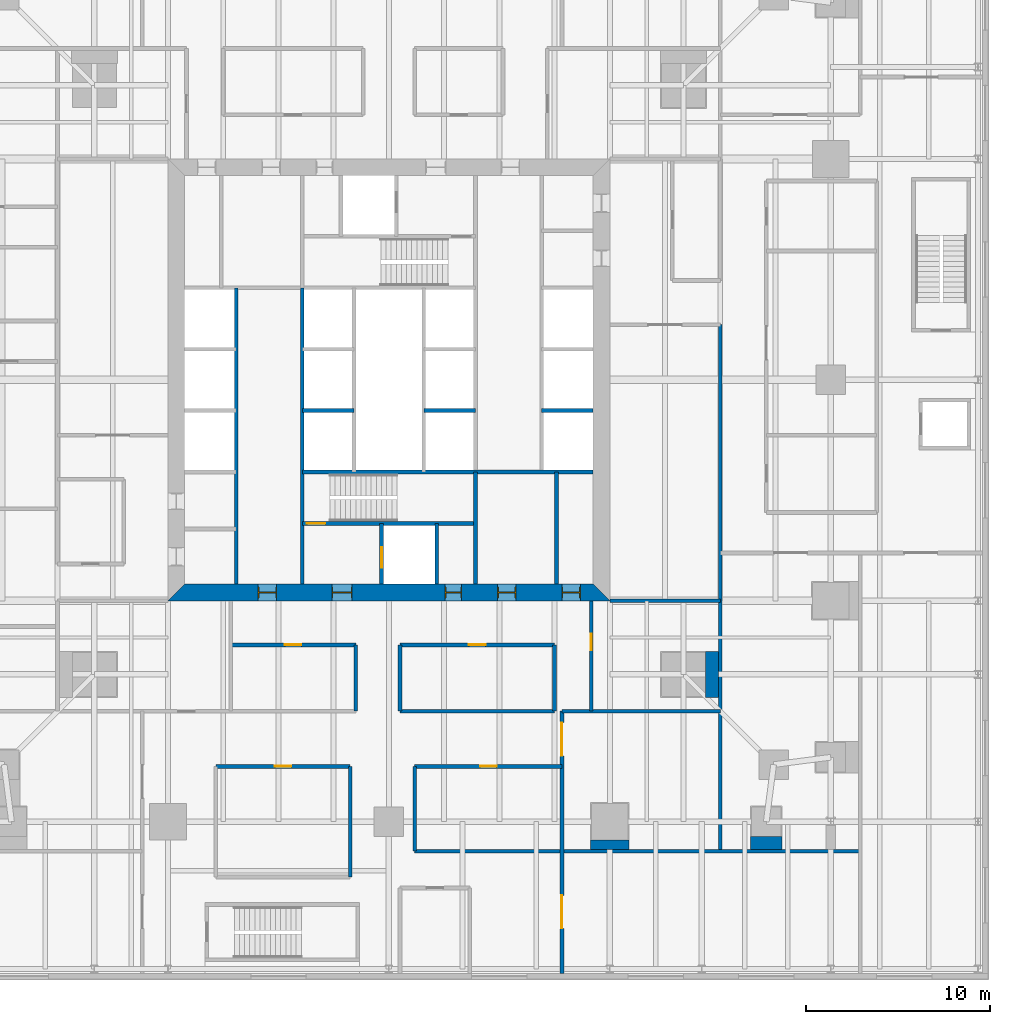
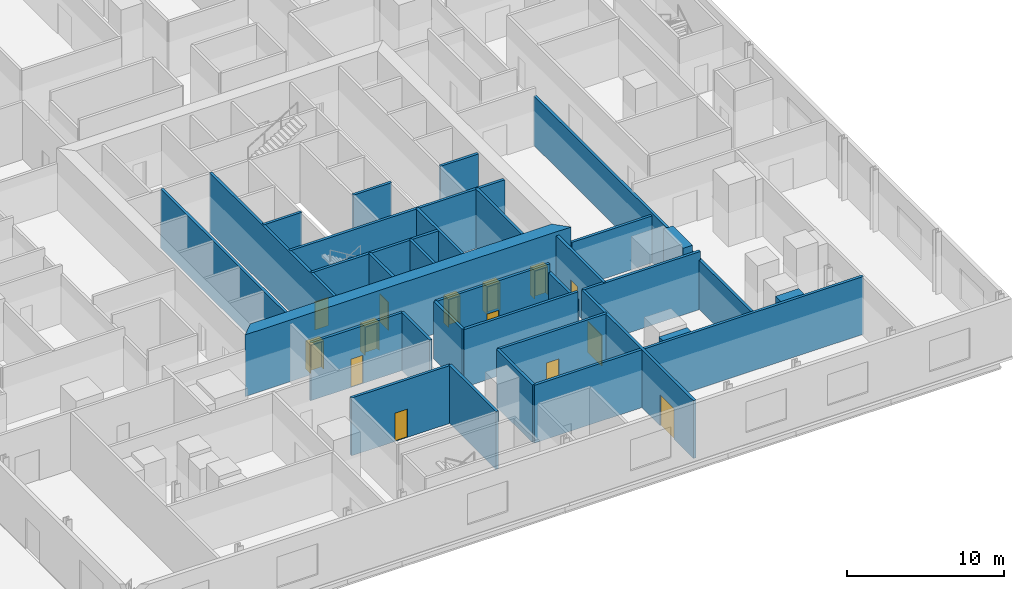
# One storey, part 9 of 17: 31 walls, 14 doors, 14 openings.
"""IFC4 building model written with IfcOpenShell, lengths in metres."""

from ifc_helpers import new_model, si_unit, direction, frame, frame_2d, origin, place, context, subcontext, project, spatial, polyline, rectangle, outline, extrude, material, layer, layer_set, type_object, element, fill, save


model = new_model("IFC4")

# Units and contexts
model_context = context("Model", 3, precision=1e-05, world=origin(), true_north=direction((0.0, 1.0)))
body_context = subcontext(model_context, "Body", "Model", "MODEL_VIEW")
ifc_project = project(units=[si_unit("LENGTHUNIT", "METRE"), si_unit("AREAUNIT", "SQUARE_METRE"), si_unit("VOLUMEUNIT", "CUBIC_METRE"), si_unit("PLANEANGLEUNIT", "RADIAN"), si_unit("MASSUNIT", "GRAM", prefix="KILO")], contexts=[model_context])

# Site, building, storey
site_placement = place(None, origin())
site = spatial("IfcSite", under=ifc_project, at=site_placement, CompositionType="ELEMENT")
building_placement = place(site_placement, origin())
building = spatial("IfcBuilding", under=site, at=building_placement, Name="Fenwick Lantern Interchange", CompositionType="ELEMENT")
storey_placement = place(building_placement, frame((0.0, 0.0, 21.39990234375)))
storey = spatial("IfcBuildingStorey", under=building, at=storey_placement, Name="L04", CompositionType="ELEMENT", Elevation=21.39990234375)

# Walls
ifc_material_1 = material(Name="Fire-rated gypsum board encasement on steel studs, 2 hour", Category="steel")
ifc_layer_1 = layer(ifc_material_1, 1.699951171875)
ifc_layer_set_1 = layer_set([ifc_layer_1], Name="COLUMN PIER 1700")
wall_type_1 = type_object("IfcWallType", Name="COLUMN PIER 1700", PredefinedType="PARTITIONING", material=ifc_layer_set_1)
wall_1_placement = place(storey_placement, frame((45.5, -0.5, 0.0), z_axis=(0.0, 0.0, 1.0), x_axis=(0.0, 1.0, 0.0)))
element("IfcWall", 1, at=wall_1_placement, inside=storey, type_object=wall_type_1, Name="L04/W/PIER/CS5", PredefinedType="PARTITIONING", context=body_context, shape_type="SweptSolid", body=[
    extrude(rectangle(XDim=0.699951171875, YDim=1.699951171875, at=frame_2d((0.35009765625, 0.0))), origin(), (0.0, 0.0, 1.0), 4.5),
])
ifc_layer_2 = layer(ifc_material_1, 2.10009765625)
ifc_layer_set_2 = layer_set([ifc_layer_2], Name="COLUMN PIER 2100")
wall_type_2 = type_object("IfcWallType", Name="COLUMN PIER 2100", PredefinedType="PARTITIONING", material=ifc_layer_set_2)
wall_2_placement = place(storey_placement, frame((37.0, -0.5, 0.0), z_axis=(0.0, 0.0, 1.0), x_axis=(0.0, 1.0, 0.0)))
element("IfcWall", 2, at=wall_2_placement, inside=storey, type_object=wall_type_2, Name="L04/W/PIER/CS4", PredefinedType="PARTITIONING", context=body_context, shape_type="SweptSolid", body=[
    extrude(rectangle(XDim=0.5, YDim=2.10009765625, at=frame_2d((0.25, 0.0))), origin(), (0.0, 0.0, 1.0), 4.5),
])
ifc_layer_3 = layer(ifc_material_1, 2.5)
ifc_layer_set_3 = layer_set([ifc_layer_3], Name="COLUMN PIER 2500")
wall_type_3 = type_object("IfcWallType", Name="COLUMN PIER 2500", PredefinedType="PARTITIONING", material=ifc_layer_set_3)
wall_3_placement = place(storey_placement, frame((42.89990234375, 9.0, 0.0), z_axis=(0.0, 0.0, 1.0), x_axis=(-1.0, 0.0, 0.0)))
element("IfcWall", 3, at=wall_3_placement, inside=storey, type_object=wall_type_3, Name="L04/W/PIER/M2", PredefinedType="PARTITIONING", context=body_context, shape_type="SweptSolid", body=[
    extrude(rectangle(XDim=0.699951171875, YDim=2.5, at=frame_2d((0.35009765625, 0.0))), origin(), (0.0, 0.0, 1.0), 4.5),
])
ifc_material_2 = material(Name="Concrete masonry ASTM C90 Grade N", Category="masonry")
ifc_layer_4 = layer(ifc_material_2, 0.199951171875)
ifc_layer_set_4 = layer_set([ifc_layer_4], Name="Concrete masonry ASTM C90 Grade N")
wall_type_4 = type_object("IfcWallType", Name="CORE PARTITION 200", PredefinedType="PARTITIONING", material=ifc_layer_set_4)
wall_4_placement = place(storey_placement, frame((16.699951171875, 13.89990234375, 0.0), z_axis=(0.0, 0.0, 1.0), x_axis=(0.0, 1.0, 0.0)))
element("IfcWall", 4, at=wall_4_placement, inside=storey, type_object=wall_type_4, Name="L04/W/CORES/a", PredefinedType="PARTITIONING", context=body_context, shape_type="SweptSolid", body=[
    extrude(rectangle(XDim=16.10009765625, YDim=0.199951171875, at=frame_2d((8.050048828125, 0.0))), origin(), (0.0, 0.0, 1.0), 4.60009765625),
])
wall_5_placement = place(storey_placement, frame((20.300048828125, 23.333251953125, 0.0), z_axis=(0.0, 0.0, 1.0), x_axis=(1.0, 0.0, 0.0)))
element("IfcWall", 5, at=wall_5_placement, inside=storey, type_object=wall_type_4, Name="L04/W/CORES/e1", PredefinedType="PARTITIONING", context=body_context, shape_type="SweptSolid", body=[
    extrude(rectangle(XDim=2.800048828125, YDim=0.199951171875, at=frame_2d((1.39990234375, 0.0))), origin(), (0.0, 0.0, 1.0), 4.60009765625),
])

# Wall, opening, door
wall_6_placement = place(storey_placement, frame((24.60009765625, 13.89990234375, 0.0), z_axis=(0.0, 0.0, 1.0), x_axis=(0.0, 1.0, 0.0)))
wall_6 = element("IfcWall", 6, at=wall_6_placement, inside=storey, type_object=wall_type_4, Name="L04/W/CORES/h1", PredefinedType="PARTITIONING", context=body_context, shape_type="SweptSolid", body=[
    extrude(rectangle(XDim=3.300048828125, YDim=0.199951171875, at=frame_2d((1.64990234375, 0.0))), origin(), (0.0, 0.0, 1.0), 4.60009765625),
])
opening_1_placement = place(wall_6_placement, frame((0.89990234375, 0.0, 0.0)))
opening_1 = element("IfcOpeningElement", 7, at=opening_1_placement, cuts=wall_6, Name="Opening LD-FL1", PredefinedType="OPENING", context=body_context, shape_type="SweptSolid", body=[
    extrude(rectangle(XDim=1.10009765625, YDim=2.199951171875, at=frame_2d((0.550048828125, 1.10009765625))), frame((0.0, 0.10986328125, 0.0), z_axis=(0.0, -1.0, 0.0), x_axis=(1.0, 0.0, 0.0)), (0.0, 0.0, 1.0), 0.219970703125),
])
ifc_material_3 = material(Name="Steel door and frame", Category="steel")
door_type_1 = type_object("IfcDoorType", Name="LIFT LANDING DOOR 1100 X 2200", OperationType="DOUBLE_DOOR_SLIDING", PredefinedType="DOOR", material=ifc_material_3)
door_1_placement = place(opening_1_placement, origin())
door_1 = element("IfcDoor", 8, at=door_1_placement, inside=storey, type_object=door_type_1, Name="Lift landing door FL1", OperationType="DOUBLE_DOOR_SLIDING", OverallHeight=2.199951171875, OverallWidth=1.10009765625, PredefinedType="DOOR", context=body_context, shape_type="SweptSolid", body=[
    extrude(rectangle(XDim=1.10009765625, YDim=2.199951171875, at=frame_2d((0.550048828125, 1.10009765625))), frame((0.0, 0.02490234375, 0.0), z_axis=(0.0, -1.0, 0.0), x_axis=(1.0, 0.0, 0.0)), (0.0, 0.0, 1.0), 0.050048828125),
])
fill(opening_1, door_1)

# Walls
wall_7_placement = place(storey_placement, frame((27.60009765625, 13.89990234375, 0.0), z_axis=(0.0, 0.0, 1.0), x_axis=(0.0, 1.0, 0.0)))
element("IfcWall", 9, at=wall_7_placement, inside=storey, type_object=wall_type_4, Name="L04/W/CORES/h2", PredefinedType="PARTITIONING", context=body_context, shape_type="SweptSolid", body=[
    extrude(rectangle(XDim=3.300048828125, YDim=0.199951171875, at=frame_2d((1.64990234375, 0.0))), origin(), (0.0, 0.0, 1.0), 4.60009765625),
])
wall_8_placement = place(storey_placement, frame((34.10009765625, 13.89990234375, 0.0), z_axis=(0.0, 0.0, 1.0), x_axis=(0.0, 1.0, 0.0)))
element("IfcWall", 10, at=wall_8_placement, inside=storey, type_object=wall_type_4, Name="L04/W/CORES/i2", PredefinedType="PARTITIONING", context=body_context, shape_type="SweptSolid", body=[
    extrude(rectangle(XDim=6.10009765625, YDim=0.199951171875, at=frame_2d((3.050048828125, 0.0))), origin(), (0.0, 0.0, 1.0), 4.60009765625),
])
for number, where, z_axis, x_axis, name in (
    (11, (36.10009765625, 23.333251953125, 0.0), (0.0, 0.0, 1.0), (-1.0, 0.0, 0.0), "L04/W/COREN/d2"),
    (12, (29.699951171875, 23.333251953125, 0.0), (0.0, 0.0, 1.0), (-1.0, 0.0, 0.0), "L04/W/COREN/e2"),
):
    element("IfcWall", number, at=place(storey_placement, frame(where, z_axis=z_axis, x_axis=x_axis)), inside=storey, type_object=wall_type_4, Name=name, PredefinedType="PARTITIONING", context=body_context, shape_type="SweptSolid", body=[
        extrude(rectangle(XDim=2.800048828125, YDim=0.199951171875, at=frame_2d((1.39990234375, 0.0))), origin(), (0.0, 0.0, 1.0), 4.60009765625),
    ])

# Wall, openings, doors
ifc_material_4 = material(Name="Concrete f'c 70 MPa", Category="concrete")
ifc_layer_5 = layer(ifc_material_4, 0.89990234375)
ifc_layer_set_5 = layer_set([ifc_layer_5], Name="CORE WALL 900")
wall_type_5 = type_object("IfcWallType", Name="CORE WALL 900", PredefinedType="SHEAR", material=ifc_layer_set_5)
wall_9_placement = place(storey_placement, frame((13.0, 13.449951171875, 0.0), z_axis=(0.0, 0.0, 1.0), x_axis=(1.0, 0.0, 0.0)))
wall_9 = element("IfcWall", 13, at=wall_9_placement, inside=storey, type_object=wall_type_5, Name="L04/CORE/S", PredefinedType="SHEAR", context=body_context, shape_type="SweptSolid", body=[
    extrude(outline(polyline([(0.0, -0.449951171875), (24.0, -0.449951171875), (23.10009765625, 0.449951171875), (0.89990234375, 0.449951171875), (0.0, -0.449951171875)])), origin(), (0.0, 0.0, 1.0), 4.800048828125),
])
opening_2_placement = place(wall_9_placement, frame((4.89990234375, 0.0, 0.0)))
opening_2 = element("IfcOpeningElement", 14, at=opening_2_placement, cuts=wall_9, Name="Opening L04-D003", PredefinedType="OPENING", context=body_context, shape_type="SweptSolid", body=[
    extrude(rectangle(XDim=1.0, YDim=2.199951171875, at=frame_2d((0.5, 1.10009765625))), frame((0.0, 0.4599609375, 0.0), z_axis=(0.0, -1.0, 0.0), x_axis=(1.0, 0.0, 0.0)), (0.0, 0.0, 1.0), 0.919921875),
])
opening_3_placement = place(wall_9_placement, frame((8.89990234375, 0.0, 0.0)))
opening_3 = element("IfcOpeningElement", 15, at=opening_3_placement, cuts=wall_9, Name="Opening L04-D004", PredefinedType="OPENING", context=body_context, shape_type="SweptSolid", body=[
    extrude(rectangle(XDim=1.10009765625, YDim=2.199951171875, at=frame_2d((0.550048828125, 1.10009765625))), frame((0.0, 0.4599609375, 0.0), z_axis=(0.0, -1.0, 0.0), x_axis=(1.0, 0.0, 0.0)), (0.0, 0.0, 1.0), 0.919921875),
])
opening_4_placement = place(wall_9_placement, frame((15.050048828125, 0.0, 0.0)))
opening_4 = element("IfcOpeningElement", 16, at=opening_4_placement, cuts=wall_9, Name="Opening L04-D006", PredefinedType="OPENING", context=body_context, shape_type="SweptSolid", body=[
    extrude(rectangle(XDim=0.89990234375, YDim=2.199951171875, at=frame_2d((0.449951171875, 1.10009765625))), frame((0.0, 0.4599609375, 0.0), z_axis=(0.0, -1.0, 0.0), x_axis=(1.0, 0.0, 0.0)), (0.0, 0.0, 1.0), 0.919921875),
])
opening_5_placement = place(wall_9_placement, frame((17.89990234375, 0.0, 0.0)))
opening_5 = element("IfcOpeningElement", 17, at=opening_5_placement, cuts=wall_9, Name="Opening L04-D007", PredefinedType="OPENING", context=body_context, shape_type="SweptSolid", body=[
    extrude(rectangle(XDim=1.0, YDim=2.199951171875, at=frame_2d((0.5, 1.10009765625))), frame((0.0, 0.4599609375, 0.0), z_axis=(0.0, -1.0, 0.0), x_axis=(1.0, 0.0, 0.0)), (0.0, 0.0, 1.0), 0.919921875),
])
opening_6_placement = place(wall_9_placement, frame((21.39990234375, 0.0, 0.0)))
opening_6 = element("IfcOpeningElement", 18, at=opening_6_placement, cuts=wall_9, Name="Opening L04-D008", PredefinedType="OPENING", context=body_context, shape_type="SweptSolid", body=[
    extrude(rectangle(XDim=1.0, YDim=2.199951171875, at=frame_2d((0.5, 1.10009765625))), frame((0.0, 0.4599609375, 0.0), z_axis=(0.0, -1.0, 0.0), x_axis=(1.0, 0.0, 0.0)), (0.0, 0.0, 1.0), 0.919921875),
])
door_type_2 = type_object("IfcDoorType", Name="CORE LOBBY DOOR 1000 X 2200", OperationType="SINGLE_SWING_LEFT", PredefinedType="DOOR", material=ifc_material_3)
door_2_placement = place(opening_2_placement, origin())
door_2 = element("IfcDoor", 19, at=door_2_placement, inside=storey, type_object=door_type_2, Name="Core lobby door", OperationType="SINGLE_SWING_LEFT", OverallHeight=2.199951171875, OverallWidth=1.0, PredefinedType="DOOR", context=body_context, shape_type="SweptSolid", body=[
    extrude(rectangle(XDim=1.0, YDim=2.199951171875, at=frame_2d((0.5, 1.10009765625))), frame((0.0, 0.02490234375, 0.0), z_axis=(0.0, -1.0, 0.0), x_axis=(1.0, 0.0, 0.0)), (0.0, 0.0, 1.0), 0.050048828125),
    extrude(outline(polyline([(0.0, 0.0), (0.0400390625, 0.0), (0.0400390625, 2.159912109375), (0.9599609375, 2.159912109375), (0.9599609375, 0.0), (1.0, 0.0), (1.0, 2.199951171875), (0.0, 2.199951171875), (0.0, 0.0)])), frame((0.0, 0.300048828125, 0.0), z_axis=(0.0, -1.0, 0.0), x_axis=(1.0, 0.0, 0.0)), (0.0, 0.0, 1.0), 0.60009765625),
])
fill(opening_2, door_2)
door_type_3 = type_object("IfcDoorType", Name="FIRE LOBBY DOOR 1100 X 2200", OperationType="SINGLE_SWING_LEFT", PredefinedType="DOOR", material=ifc_material_3)
door_3_placement = place(opening_3_placement, origin())
door_3 = element("IfcDoor", 20, at=door_3_placement, inside=storey, type_object=door_type_3, Name="Fire lobby door", OperationType="SINGLE_SWING_LEFT", OverallHeight=2.199951171875, OverallWidth=1.10009765625, PredefinedType="DOOR", context=body_context, shape_type="SweptSolid", body=[
    extrude(rectangle(XDim=1.10009765625, YDim=2.199951171875, at=frame_2d((0.550048828125, 1.10009765625))), frame((0.0, 0.02490234375, 0.0), z_axis=(0.0, -1.0, 0.0), x_axis=(1.0, 0.0, 0.0)), (0.0, 0.0, 1.0), 0.050048828125),
    extrude(outline(polyline([(0.0, 0.0), (0.0400390625, 0.0), (0.0400390625, 2.159912109375), (1.06005859375, 2.159912109375), (1.06005859375, 0.0), (1.10009765625, 0.0), (1.10009765625, 2.199951171875), (0.0, 2.199951171875), (0.0, 0.0)])), frame((0.0, 0.300048828125, 0.0), z_axis=(0.0, -1.0, 0.0), x_axis=(1.0, 0.0, 0.0)), (0.0, 0.0, 1.0), 0.60009765625),
])
fill(opening_3, door_3)
door_type_4 = type_object("IfcDoorType", Name="SERVICE DOOR 900 X 2200", OperationType="SINGLE_SWING_LEFT", PredefinedType="DOOR", material=ifc_material_3)
door_4_placement = place(opening_4_placement, origin())
door_4 = element("IfcDoor", 21, at=door_4_placement, inside=storey, type_object=door_type_4, Name="Service door", OperationType="SINGLE_SWING_LEFT", OverallHeight=2.199951171875, OverallWidth=0.89990234375, PredefinedType="DOOR", context=body_context, shape_type="SweptSolid", body=[
    extrude(rectangle(XDim=0.89990234375, YDim=2.199951171875, at=frame_2d((0.449951171875, 1.10009765625))), frame((0.0, 0.02490234375, 0.0), z_axis=(0.0, -1.0, 0.0), x_axis=(1.0, 0.0, 0.0)), (0.0, 0.0, 1.0), 0.050048828125),
    extrude(outline(polyline([(0.0, 0.0), (0.0400390625, 0.0), (0.0400390625, 2.159912109375), (0.85986328125, 2.159912109375), (0.85986328125, 0.0), (0.89990234375, 0.0), (0.89990234375, 2.199951171875), (0.0, 2.199951171875), (0.0, 0.0)])), frame((0.0, 0.300048828125, 0.0), z_axis=(0.0, -1.0, 0.0), x_axis=(1.0, 0.0, 0.0)), (0.0, 0.0, 1.0), 0.60009765625),
])
fill(opening_4, door_4)
ifc_material_5 = material(Name="Hardwood door and steel frame", Category="steel")
door_type_5 = type_object("IfcDoorType", Name="WC DOOR 1000 X 2200", OperationType="SINGLE_SWING_LEFT", PredefinedType="DOOR", material=ifc_material_5)
door_5_placement = place(opening_5_placement, origin())
door_5 = element("IfcDoor", 22, at=door_5_placement, inside=storey, type_object=door_type_5, Name="Wc door", OperationType="SINGLE_SWING_LEFT", OverallHeight=2.199951171875, OverallWidth=1.0, PredefinedType="DOOR", context=body_context, shape_type="SweptSolid", body=[
    extrude(rectangle(XDim=1.0, YDim=2.199951171875, at=frame_2d((0.5, 1.10009765625))), frame((0.0, 0.02490234375, 0.0), z_axis=(0.0, -1.0, 0.0), x_axis=(1.0, 0.0, 0.0)), (0.0, 0.0, 1.0), 0.050048828125),
    extrude(outline(polyline([(0.0, 0.0), (0.0400390625, 0.0), (0.0400390625, 2.159912109375), (0.9599609375, 2.159912109375), (0.9599609375, 0.0), (1.0, 0.0), (1.0, 2.199951171875), (0.0, 2.199951171875), (0.0, 0.0)])), frame((0.0, 0.300048828125, 0.0), z_axis=(0.0, -1.0, 0.0), x_axis=(1.0, 0.0, 0.0)), (0.0, 0.0, 1.0), 0.60009765625),
])
fill(opening_5, door_5)
door_6_placement = place(opening_6_placement, origin())
door_6 = element("IfcDoor", 23, at=door_6_placement, inside=storey, type_object=door_type_5, Name="Wc door", OperationType="SINGLE_SWING_LEFT", OverallHeight=2.199951171875, OverallWidth=1.0, PredefinedType="DOOR", context=body_context, shape_type="SweptSolid", body=[
    extrude(rectangle(XDim=1.0, YDim=2.199951171875, at=frame_2d((0.5, 1.10009765625))), frame((0.0, 0.02490234375, 0.0), z_axis=(0.0, -1.0, 0.0), x_axis=(1.0, 0.0, 0.0)), (0.0, 0.0, 1.0), 0.050048828125),
    extrude(outline(polyline([(0.0, 0.0), (0.0400390625, 0.0), (0.0400390625, 2.159912109375), (0.9599609375, 2.159912109375), (0.9599609375, 0.0), (1.0, 0.0), (1.0, 2.199951171875), (0.0, 2.199951171875), (0.0, 0.0)])), frame((0.0, 0.300048828125, 0.0), z_axis=(0.0, -1.0, 0.0), x_axis=(1.0, 0.0, 0.0)), (0.0, 0.0, 1.0), 0.60009765625),
])
fill(opening_6, door_6)

# Walls
ifc_material_6 = material(Name="Gypsum board on steel studs, 1 hour", Category="steel")
ifc_layer_6 = layer(ifc_material_6, 0.199951171875)
ifc_layer_set_6 = layer_set([ifc_layer_6], Name="ROOM WALL 200")
wall_type_6 = type_object("IfcWallType", Name="ROOM WALL 200", PredefinedType="PARTITIONING", material=ifc_layer_set_6)
wall_10_placement = place(storey_placement, frame((22.89990234375, -2.0, 0.0), z_axis=(0.0, 0.0, 1.0), x_axis=(0.0, 1.0, 0.0)))
element("IfcWall", 24, at=wall_10_placement, inside=storey, type_object=wall_type_6, Name="L04/W/POD/X22.9-1", PredefinedType="PARTITIONING", context=body_context, shape_type="SweptSolid", body=[
    extrude(rectangle(XDim=6.0, YDim=0.199951171875, at=frame_2d((3.0, 0.0))), origin(), (0.0, 0.0, 1.0), 4.5),
])
for number, where, z_axis, x_axis, name in (
    (25, (23.199951171875, 7.0, 0.0), (0.0, 0.0, 1.0), (0.0, 1.0, 0.0), "L04/W/POD/X23.2-1"),
    (26, (25.60009765625, 7.0, 0.0), (0.0, 0.0, 1.0), (0.0, 1.0, 0.0), "L04/W/POD/X25.6-2"),
):
    element("IfcWall", number, at=place(storey_placement, frame(where, z_axis=z_axis, x_axis=x_axis)), inside=storey, type_object=wall_type_6, Name=name, PredefinedType="PARTITIONING", context=body_context, shape_type="SweptSolid", body=[
        extrude(rectangle(XDim=3.60009765625, YDim=0.199951171875, at=frame_2d((1.800048828125, 0.0))), origin(), (0.0, 0.0, 1.0), 4.5),
    ])
wall_11_placement = place(storey_placement, frame((26.39990234375, -0.60009765625, 0.0), z_axis=(0.0, 0.0, 1.0), x_axis=(0.0, 1.0, 0.0)))
element("IfcWall", 27, at=wall_11_placement, inside=storey, type_object=wall_type_6, Name="L04/W/POD/X26.4-1", PredefinedType="PARTITIONING", context=body_context, shape_type="SweptSolid", body=[
    extrude(rectangle(XDim=4.60009765625, YDim=0.199951171875, at=frame_2d((2.300048828125, 0.0))), origin(), (0.0, 0.0, 1.0), 4.5),
])
wall_12_placement = place(storey_placement, frame((34.0, 7.0, 0.0), z_axis=(0.0, 0.0, 1.0), x_axis=(0.0, 1.0, 0.0)))
element("IfcWall", 28, at=wall_12_placement, inside=storey, type_object=wall_type_6, Name="L04/W/POD/X34-1", PredefinedType="PARTITIONING", context=body_context, shape_type="SweptSolid", body=[
    extrude(rectangle(XDim=3.60009765625, YDim=0.199951171875, at=frame_2d((1.800048828125, 0.0))), origin(), (0.0, 0.0, 1.0), 3.84326171875),
])

# Wall, openings, doors
wall_13_placement = place(storey_placement, frame((34.39990234375, -7.25, 0.0), z_axis=(0.0, 0.0, 1.0), x_axis=(0.0, 1.0, 0.0)))
wall_13 = element("IfcWall", 29, at=wall_13_placement, inside=storey, type_object=wall_type_6, Name="L04/W/POD/X34.4-1", PredefinedType="PARTITIONING", context=body_context, shape_type="SweptSolid", body=[
    extrude(rectangle(XDim=14.25, YDim=0.199951171875, at=frame_2d((7.125, 0.0))), origin(), (0.0, 0.0, 1.0), 4.5),
])
opening_7_placement = place(wall_13_placement, frame((2.449951171875, 0.0, 0.0)))
opening_7 = element("IfcOpeningElement", 30, at=opening_7_placement, cuts=wall_13, Name="Opening L04-D027", PredefinedType="OPENING", context=body_context, shape_type="SweptSolid", body=[
    extrude(rectangle(XDim=1.800048828125, YDim=2.39990234375, at=frame_2d((0.89990234375, 1.199951171875))), frame((0.0, 0.10986328125, 0.0), z_axis=(0.0, -1.0, 0.0), x_axis=(1.0, 0.0, 0.0)), (0.0, 0.0, 1.0), 0.219970703125),
])
opening_8_placement = place(wall_13_placement, frame((11.824951171875, 0.0, 0.0)))
opening_8 = element("IfcOpeningElement", 31, at=opening_8_placement, cuts=wall_13, Name="Opening L04-D028", PredefinedType="OPENING", context=body_context, shape_type="SweptSolid", body=[
    extrude(rectangle(XDim=1.800048828125, YDim=2.39990234375, at=frame_2d((0.89990234375, 1.199951171875))), frame((0.0, 0.10986328125, 0.0), z_axis=(0.0, -1.0, 0.0), x_axis=(1.0, 0.0, 0.0)), (0.0, 0.0, 1.0), 0.219970703125),
])
door_type_6 = type_object("IfcDoorType", Name="ROOM DOOR PAIR 1800 X 2400", OperationType="DOUBLE_DOOR_SINGLE_SWING", PredefinedType="DOOR", material=ifc_material_3)
door_7_placement = place(opening_7_placement, origin())
door_7 = element("IfcDoor", 32, at=door_7_placement, inside=storey, type_object=door_type_6, Name="Room door pair", OperationType="DOUBLE_DOOR_SINGLE_SWING", OverallHeight=2.39990234375, OverallWidth=1.800048828125, PredefinedType="DOOR", context=body_context, shape_type="SweptSolid", body=[
    extrude(rectangle(XDim=1.800048828125, YDim=2.39990234375, at=frame_2d((0.89990234375, 1.199951171875))), frame((0.0, 0.02490234375, 0.0), z_axis=(0.0, -1.0, 0.0), x_axis=(1.0, 0.0, 0.0)), (0.0, 0.0, 1.0), 0.050048828125),
])
fill(opening_7, door_7)
door_8_placement = place(opening_8_placement, origin())
door_8 = element("IfcDoor", 33, at=door_8_placement, inside=storey, type_object=door_type_6, Name="Room door pair", OperationType="DOUBLE_DOOR_SINGLE_SWING", OverallHeight=2.39990234375, OverallWidth=1.800048828125, PredefinedType="DOOR", context=body_context, shape_type="SweptSolid", body=[
    extrude(rectangle(XDim=1.800048828125, YDim=2.39990234375, at=frame_2d((0.89990234375, 1.199951171875))), frame((0.0, 0.02490234375, 0.0), z_axis=(0.0, -1.0, 0.0), x_axis=(1.0, 0.0, 0.0)), (0.0, 0.0, 1.0), 0.050048828125),
])
fill(opening_8, door_8)

# Wall, opening, door
wall_14_placement = place(storey_placement, frame((36.0, 7.0, 0.0), z_axis=(0.0, 0.0, 1.0), x_axis=(0.0, 1.0, 0.0)))
wall_14 = element("IfcWall", 34, at=wall_14_placement, inside=storey, type_object=wall_type_6, Name="L04/W/POD/X36-1", PredefinedType="PARTITIONING", context=body_context, shape_type="SweptSolid", body=[
    extrude(rectangle(XDim=6.0, YDim=0.199951171875, at=frame_2d((3.0, 0.0))), origin(), (0.0, 0.0, 1.0), 4.5),
])
opening_9_placement = place(wall_14_placement, frame((3.300048828125, 0.0, 0.0)))
opening_9 = element("IfcOpeningElement", 35, at=opening_9_placement, cuts=wall_14, Name="Opening L04-D043", PredefinedType="OPENING", context=body_context, shape_type="SweptSolid", body=[
    extrude(rectangle(XDim=0.89990234375, YDim=2.199951171875, at=frame_2d((0.449951171875, 1.10009765625))), frame((0.0, 0.10986328125, 0.0), z_axis=(0.0, -1.0, 0.0), x_axis=(1.0, 0.0, 0.0)), (0.0, 0.0, 1.0), 0.219970703125),
])
door_type_7 = type_object("IfcDoorType", Name="OFFICE DOOR 900 X 2200", OperationType="SINGLE_SWING_LEFT", PredefinedType="DOOR", material=ifc_material_5)
door_9_placement = place(opening_9_placement, frame((0.89990234375, 0.0, 0.0), z_axis=(0.0, 0.0, 1.0), x_axis=(-1.0, 0.0, 0.0)))
door_9 = element("IfcDoor", 36, at=door_9_placement, inside=storey, type_object=door_type_7, Name="Office door", OperationType="SINGLE_SWING_LEFT", OverallHeight=2.199951171875, OverallWidth=0.89990234375, PredefinedType="DOOR", context=body_context, shape_type="SweptSolid", body=[
    extrude(rectangle(XDim=0.89990234375, YDim=2.199951171875, at=frame_2d((0.449951171875, 1.10009765625))), frame((0.0, 0.02490234375, 0.0), z_axis=(0.0, -1.0, 0.0), x_axis=(1.0, 0.0, 0.0)), (0.0, 0.0, 1.0), 0.050048828125),
])
fill(opening_9, door_9)

# Walls
wall_15_placement = place(storey_placement, frame((43.0, -0.60009765625, 0.0), z_axis=(0.0, 0.0, 1.0), x_axis=(0.0, 1.0, 0.0)))
element("IfcWall", 37, at=wall_15_placement, inside=storey, type_object=wall_type_6, Name="L04/W/POD/X43-1", PredefinedType="PARTITIONING", context=body_context, shape_type="SweptSolid", body=[
    extrude(rectangle(XDim=28.60009765625, YDim=0.199951171875, at=frame_2d((14.300048828125, 0.0))), origin(), (0.0, 0.0, 1.0), 3.84326171875),
])
wall_16_placement = place(storey_placement, frame((26.39990234375, -0.60009765625, 0.0), z_axis=(0.0, 0.0, 1.0), x_axis=(1.0, 0.0, 0.0)))
element("IfcWall", 38, at=wall_16_placement, inside=storey, type_object=wall_type_6, Name="L04/W/POD/Y-0.6-2", PredefinedType="PARTITIONING", context=body_context, shape_type="SweptSolid", body=[
    extrude(rectangle(XDim=24.2001953125, YDim=0.199951171875, at=frame_2d((12.10009765625, 0.0))), origin(), (0.0, 0.0, 1.0), 4.5),
])

# Wall, opening, door
wall_17_placement = place(storey_placement, frame((15.60009765625, 4.0, 0.0), z_axis=(0.0, 0.0, 1.0), x_axis=(1.0, 0.0, 0.0)))
wall_17 = element("IfcWall", 39, at=wall_17_placement, inside=storey, type_object=wall_type_6, Name="L04/W/POD/Y4-1", PredefinedType="PARTITIONING", context=body_context, shape_type="SweptSolid", body=[
    extrude(rectangle(XDim=7.2998046875, YDim=0.199951171875, at=frame_2d((3.64990234375, 0.0))), origin(), (0.0, 0.0, 1.0), 4.5),
])
opening_10_placement = place(wall_17_placement, frame((3.199951171875, 0.0, 0.0)))
opening_10 = element("IfcOpeningElement", 40, at=opening_10_placement, cuts=wall_17, Name="Opening L04-D045", PredefinedType="OPENING", context=body_context, shape_type="SweptSolid", body=[
    extrude(rectangle(XDim=0.89990234375, YDim=2.199951171875, at=frame_2d((0.449951171875, 1.10009765625))), frame((0.0, 0.10986328125, 0.0), z_axis=(0.0, -1.0, 0.0), x_axis=(1.0, 0.0, 0.0)), (0.0, 0.0, 1.0), 0.219970703125),
])
door_10_placement = place(opening_10_placement, frame((0.89990234375, 0.0, 0.0), z_axis=(0.0, 0.0, 1.0), x_axis=(-1.0, 0.0, 0.0)))
door_10 = element("IfcDoor", 41, at=door_10_placement, inside=storey, type_object=door_type_7, Name="Office door", OperationType="SINGLE_SWING_RIGHT", OverallHeight=2.199951171875, OverallWidth=0.89990234375, PredefinedType="DOOR", context=body_context, shape_type="SweptSolid", body=[
    extrude(rectangle(XDim=0.89990234375, YDim=2.199951171875, at=frame_2d((0.449951171875, 1.10009765625))), frame((0.0, 0.02490234375, 0.0), z_axis=(0.0, -1.0, 0.0), x_axis=(1.0, 0.0, 0.0)), (0.0, 0.0, 1.0), 0.050048828125),
])
fill(opening_10, door_10)

wall_18_placement = place(storey_placement, frame((26.39990234375, 4.0, 0.0), z_axis=(0.0, 0.0, 1.0), x_axis=(1.0, 0.0, 0.0)))
wall_18 = element("IfcWall", 42, at=wall_18_placement, inside=storey, type_object=wall_type_6, Name="L04/W/POD/Y4-2", PredefinedType="PARTITIONING", context=body_context, shape_type="SweptSolid", body=[
    extrude(rectangle(XDim=8.0, YDim=0.199951171875, at=frame_2d((4.0, 0.0))), origin(), (0.0, 0.0, 1.0), 4.5),
])
opening_11_placement = place(wall_18_placement, frame((3.550048828125, 0.0, 0.0)))
opening_11 = element("IfcOpeningElement", 43, at=opening_11_placement, cuts=wall_18, Name="Opening L04-D046", PredefinedType="OPENING", context=body_context, shape_type="SweptSolid", body=[
    extrude(rectangle(XDim=0.89990234375, YDim=2.199951171875, at=frame_2d((0.449951171875, 1.10009765625))), frame((0.0, 0.10986328125, 0.0), z_axis=(0.0, -1.0, 0.0), x_axis=(1.0, 0.0, 0.0)), (0.0, 0.0, 1.0), 0.219970703125),
])
door_11_placement = place(opening_11_placement, frame((0.89990234375, 0.0, 0.0), z_axis=(0.0, 0.0, 1.0), x_axis=(-1.0, 0.0, 0.0)))
door_11 = element("IfcDoor", 44, at=door_11_placement, inside=storey, type_object=door_type_7, Name="Office door", OperationType="SINGLE_SWING_RIGHT", OverallHeight=2.199951171875, OverallWidth=0.89990234375, PredefinedType="DOOR", context=body_context, shape_type="SweptSolid", body=[
    extrude(rectangle(XDim=0.89990234375, YDim=2.199951171875, at=frame_2d((0.449951171875, 1.10009765625))), frame((0.0, 0.02490234375, 0.0), z_axis=(0.0, -1.0, 0.0), x_axis=(1.0, 0.0, 0.0)), (0.0, 0.0, 1.0), 0.050048828125),
])
fill(opening_11, door_11)

# Walls
wall_19_placement = place(storey_placement, frame((25.60009765625, 7.0, 0.0), z_axis=(0.0, 0.0, 1.0), x_axis=(1.0, 0.0, 0.0)))
element("IfcWall", 45, at=wall_19_placement, inside=storey, type_object=wall_type_6, Name="L04/W/POD/Y7-2", PredefinedType="PARTITIONING", context=body_context, shape_type="SweptSolid", body=[
    extrude(rectangle(XDim=8.39990234375, YDim=0.199951171875, at=frame_2d((4.199951171875, 0.0))), origin(), (0.0, 0.0, 1.0), 4.5),
])
wall_20_placement = place(storey_placement, frame((34.39990234375, 7.0, 0.0), z_axis=(0.0, 0.0, 1.0), x_axis=(1.0, 0.0, 0.0)))
element("IfcWall", 46, at=wall_20_placement, inside=storey, type_object=wall_type_6, Name="L04/W/POD/Y7-3", PredefinedType="PARTITIONING", context=body_context, shape_type="SweptSolid", body=[
    extrude(rectangle(XDim=8.60009765625, YDim=0.199951171875, at=frame_2d((4.300048828125, 0.0))), origin(), (0.0, 0.0, 1.0), 4.5),
])

# Wall, opening, door
wall_21_placement = place(storey_placement, frame((16.39990234375, 10.60009765625, 0.0), z_axis=(0.0, 0.0, 1.0), x_axis=(1.0, 0.0, 0.0)))
wall_21 = element("IfcWall", 47, at=wall_21_placement, inside=storey, type_object=wall_type_6, Name="L04/W/POD/Y10.6-1", PredefinedType="PARTITIONING", context=body_context, shape_type="SweptSolid", body=[
    extrude(rectangle(XDim=6.800048828125, YDim=0.199951171875, at=frame_2d((3.39990234375, 0.0))), origin(), (0.0, 0.0, 1.0), 4.5),
])
opening_12_placement = place(wall_21_placement, frame((2.949951171875, 0.0, 0.0)))
opening_12 = element("IfcOpeningElement", 48, at=opening_12_placement, cuts=wall_21, Name="Opening L04-D055", PredefinedType="OPENING", context=body_context, shape_type="SweptSolid", body=[
    extrude(rectangle(XDim=0.89990234375, YDim=2.199951171875, at=frame_2d((0.449951171875, 1.10009765625))), frame((0.0, 0.10986328125, 0.0), z_axis=(0.0, -1.0, 0.0), x_axis=(1.0, 0.0, 0.0)), (0.0, 0.0, 1.0), 0.219970703125),
])
door_12_placement = place(opening_12_placement, frame((0.89990234375, 0.0, 0.0), z_axis=(0.0, 0.0, 1.0), x_axis=(-1.0, 0.0, 0.0)))
door_12 = element("IfcDoor", 49, at=door_12_placement, inside=storey, type_object=door_type_7, Name="Office door", OperationType="SINGLE_SWING_RIGHT", OverallHeight=2.199951171875, OverallWidth=0.89990234375, PredefinedType="DOOR", context=body_context, shape_type="SweptSolid", body=[
    extrude(rectangle(XDim=0.89990234375, YDim=2.199951171875, at=frame_2d((0.449951171875, 1.10009765625))), frame((0.0, 0.02490234375, 0.0), z_axis=(0.0, -1.0, 0.0), x_axis=(1.0, 0.0, 0.0)), (0.0, 0.0, 1.0), 0.050048828125),
])
fill(opening_12, door_12)

wall_22_placement = place(storey_placement, frame((25.60009765625, 10.60009765625, 0.0), z_axis=(0.0, 0.0, 1.0), x_axis=(1.0, 0.0, 0.0)))
wall_22 = element("IfcWall", 50, at=wall_22_placement, inside=storey, type_object=wall_type_6, Name="L04/W/POD/Y10.6-2", PredefinedType="PARTITIONING", context=body_context, shape_type="SweptSolid", body=[
    extrude(rectangle(XDim=8.39990234375, YDim=0.199951171875, at=frame_2d((4.199951171875, 0.0))), origin(), (0.0, 0.0, 1.0), 4.5),
])
opening_13_placement = place(wall_22_placement, frame((3.75, 0.0, 0.0)))
opening_13 = element("IfcOpeningElement", 51, at=opening_13_placement, cuts=wall_22, Name="Opening L04-D056", PredefinedType="OPENING", context=body_context, shape_type="SweptSolid", body=[
    extrude(rectangle(XDim=0.89990234375, YDim=2.199951171875, at=frame_2d((0.449951171875, 1.10009765625))), frame((0.0, 0.10986328125, 0.0), z_axis=(0.0, -1.0, 0.0), x_axis=(1.0, 0.0, 0.0)), (0.0, 0.0, 1.0), 0.219970703125),
])
door_13_placement = place(opening_13_placement, frame((0.89990234375, 0.0, 0.0), z_axis=(0.0, 0.0, 1.0), x_axis=(-1.0, 0.0, 0.0)))
door_13 = element("IfcDoor", 52, at=door_13_placement, inside=storey, type_object=door_type_7, Name="Office door", OperationType="SINGLE_SWING_RIGHT", OverallHeight=2.199951171875, OverallWidth=0.89990234375, PredefinedType="DOOR", context=body_context, shape_type="SweptSolid", body=[
    extrude(rectangle(XDim=0.89990234375, YDim=2.199951171875, at=frame_2d((0.449951171875, 1.10009765625))), frame((0.0, 0.02490234375, 0.0), z_axis=(0.0, -1.0, 0.0), x_axis=(1.0, 0.0, 0.0)), (0.0, 0.0, 1.0), 0.050048828125),
])
fill(opening_13, door_13)

# Walls
wall_23_placement = place(storey_placement, frame((37.0, 13.0, 0.0), z_axis=(0.0, 0.0, 1.0), x_axis=(1.0, 0.0, 0.0)))
element("IfcWall", 53, at=wall_23_placement, inside=storey, type_object=wall_type_6, Name="L04/W/POD/Y13-2", PredefinedType="PARTITIONING", context=body_context, shape_type="SweptSolid", body=[
    extrude(rectangle(XDim=6.0, YDim=0.199951171875, at=frame_2d((3.0, 0.0))), origin(), (0.0, 0.0, 1.0), 3.652587890625),
])
ifc_material_7 = material(Name="Concrete f'c 45 MPa", Category="concrete")
ifc_layer_7 = layer(ifc_material_7, 0.199951171875)
ifc_layer_set_7 = layer_set([ifc_layer_7], Name="STAIR CORE WALL 200")
wall_type_7 = type_object("IfcWallType", Name="STAIR CORE WALL 200", PredefinedType="SOLIDWALL", material=ifc_layer_set_7)
wall_24_placement = place(storey_placement, frame((20.300048828125, 13.89990234375, 0.0), z_axis=(0.0, 0.0, 1.0), x_axis=(0.0, 1.0, 0.0)))
element("IfcWall", 54, at=wall_24_placement, inside=storey, type_object=wall_type_7, Name="L04/W/CORES/b", PredefinedType="SOLIDWALL", context=body_context, shape_type="SweptSolid", body=[
    extrude(rectangle(XDim=16.10009765625, YDim=0.199951171875, at=frame_2d((8.050048828125, 0.0))), origin(), (0.0, 0.0, 1.0), 4.60009765625),
])

# Wall, opening, door
wall_25_placement = place(storey_placement, frame((20.300048828125, 17.199951171875, 0.0), z_axis=(0.0, 0.0, 1.0), x_axis=(1.0, 0.0, 0.0)))
wall_25 = element("IfcWall", 55, at=wall_25_placement, inside=storey, type_object=wall_type_7, Name="L04/W/CORES/g1", PredefinedType="SOLIDWALL", context=body_context, shape_type="SweptSolid", body=[
    extrude(rectangle(XDim=9.39990234375, YDim=0.199951171875, at=frame_2d((4.699951171875, 0.0))), origin(), (0.0, 0.0, 1.0), 4.60009765625),
])
opening_14_placement = place(wall_25_placement, frame((0.25, 0.0, 0.0)))
opening_14 = element("IfcOpeningElement", 56, at=opening_14_placement, cuts=wall_25, Name="Opening L04-D005", PredefinedType="OPENING", context=body_context, shape_type="SweptSolid", body=[
    extrude(rectangle(XDim=1.0, YDim=2.199951171875, at=frame_2d((0.5, 1.10009765625))), frame((0.0, 0.10986328125, 0.0), z_axis=(0.0, -1.0, 0.0), x_axis=(1.0, 0.0, 0.0)), (0.0, 0.0, 1.0), 0.219970703125),
])
door_type_8 = type_object("IfcDoorType", Name="STAIR DOOR 1000 X 2200", OperationType="SINGLE_SWING_LEFT", PredefinedType="DOOR", material=ifc_material_3)
door_14_placement = place(opening_14_placement, origin())
door_14 = element("IfcDoor", 57, at=door_14_placement, inside=storey, type_object=door_type_8, Name="Stair door", OperationType="SINGLE_SWING_LEFT", OverallHeight=2.199951171875, OverallWidth=1.0, PredefinedType="DOOR", context=body_context, shape_type="SweptSolid", body=[
    extrude(rectangle(XDim=1.0, YDim=2.199951171875, at=frame_2d((0.5, 1.10009765625))), frame((0.0, 0.02490234375, 0.0), z_axis=(0.0, -1.0, 0.0), x_axis=(1.0, 0.0, 0.0)), (0.0, 0.0, 1.0), 0.050048828125),
])
fill(opening_14, door_14)

# Walls
wall_26_placement = place(storey_placement, frame((20.300048828125, 20.0, 0.0), z_axis=(0.0, 0.0, 1.0), x_axis=(1.0, 0.0, 0.0)))
element("IfcWall", 58, at=wall_26_placement, inside=storey, type_object=wall_type_7, Name="L04/W/CORES/g2", PredefinedType="SOLIDWALL", context=body_context, shape_type="SweptSolid", body=[
    extrude(rectangle(XDim=15.800048828125, YDim=0.199951171875, at=frame_2d((7.89990234375, 0.0))), origin(), (0.0, 0.0, 1.0), 4.60009765625),
])
wall_27_placement = place(storey_placement, frame((29.699951171875, 13.89990234375, 0.0), z_axis=(0.0, 0.0, 1.0), x_axis=(0.0, 1.0, 0.0)))
element("IfcWall", 59, at=wall_27_placement, inside=storey, type_object=wall_type_7, Name="L04/W/CORES/i1", PredefinedType="SOLIDWALL", context=body_context, shape_type="SweptSolid", body=[
    extrude(rectangle(XDim=6.10009765625, YDim=0.199951171875, at=frame_2d((3.050048828125, 0.0))), origin(), (0.0, 0.0, 1.0), 4.60009765625),
])

save(model, "model.ifc")
